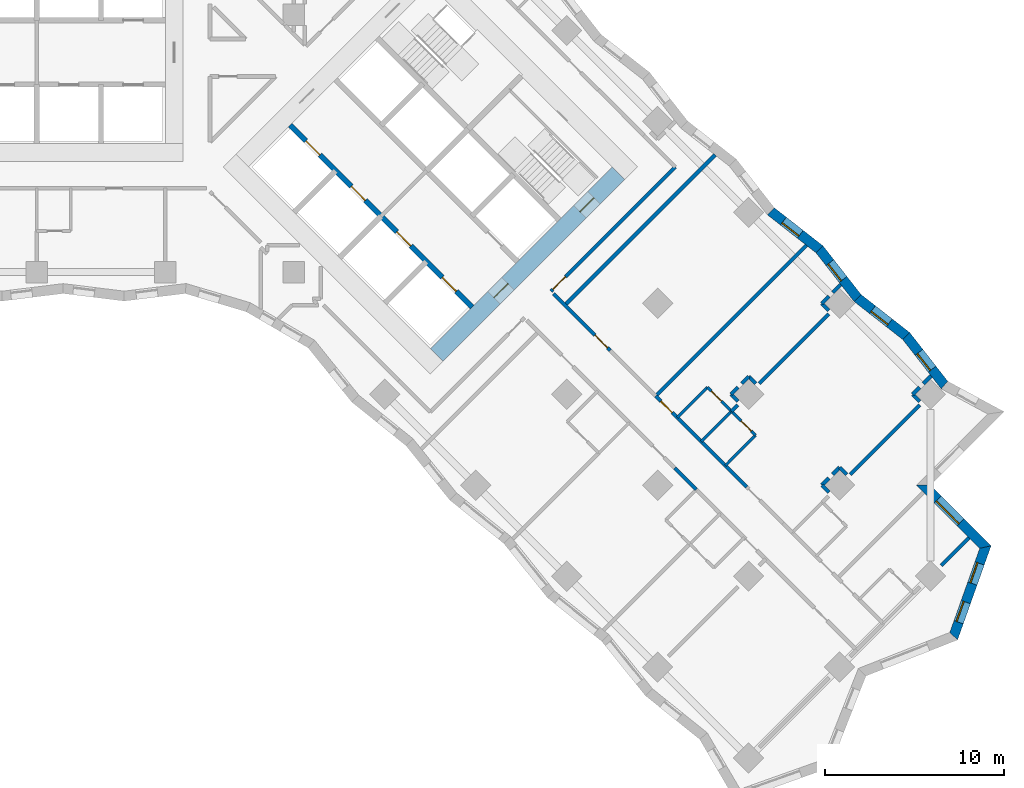
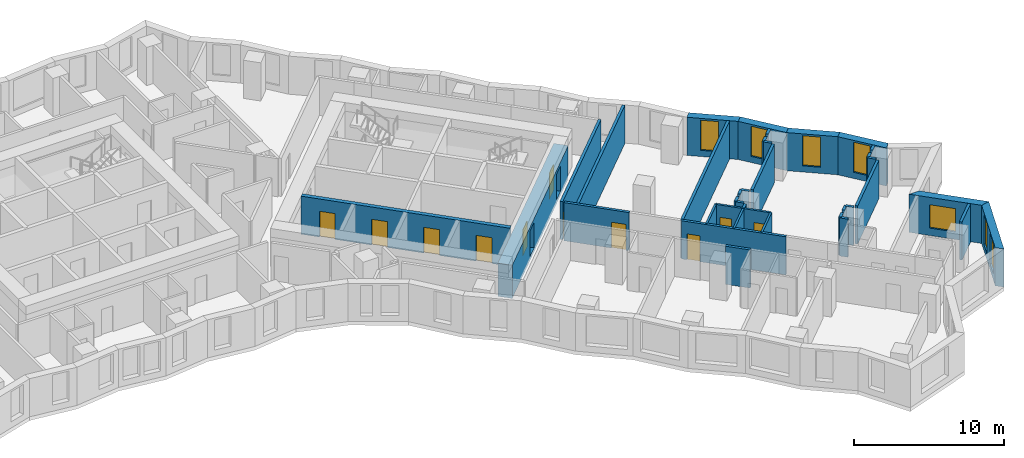
# One storey, part 9 of 13: 37 walls, 11 doors, 7 windows, 18 openings.
"""IFC4 building model written with IfcOpenShell, lengths in metres."""

from ifc_helpers import new_model, si_unit, direction, frame, frame_2d, origin, place, context, subcontext, project, spatial, polyline, rectangle, outline, extrude, material, layer, layer_set, type_object, element, fill, save


model = new_model("IFC4")

# Units and contexts
model_context = context("Model", 3, precision=1e-05, world=origin(), true_north=direction((0.0, 1.0)))
body_context = subcontext(model_context, "Body", "Model", "MODEL_VIEW")
ifc_project = project(units=[si_unit("LENGTHUNIT", "METRE"), si_unit("AREAUNIT", "SQUARE_METRE"), si_unit("VOLUMEUNIT", "CUBIC_METRE"), si_unit("PLANEANGLEUNIT", "RADIAN"), si_unit("MASSUNIT", "GRAM", prefix="KILO")], contexts=[model_context])

# Site, building, storey
site_placement = place(None, origin())
site = spatial("IfcSite", under=ifc_project, at=site_placement, CompositionType="ELEMENT")
building_placement = place(site_placement, origin())
building = spatial("IfcBuilding", under=site, at=building_placement, Name="Windrow Commons", CompositionType="ELEMENT")
storey_placement = place(building_placement, frame((0.0, 0.0, 40.6)))
storey = spatial("IfcBuildingStorey", under=building, at=storey_placement, Name="L10", CompositionType="ELEMENT", Elevation=40.6)

# Wall, openings, windows
ifc_material_1 = material(Name="Brick masonry, red clay brick", Category="masonry")
ifc_layer_1 = layer(ifc_material_1, 0.55)
ifc_layer_set_1 = layer_set([ifc_layer_1], Name="Brick facade wall 550")
wall_type_1 = type_object("IfcWallType", Name="Brick facade wall 550", PredefinedType="SOLIDWALL", material=ifc_layer_set_1)
wall_1_placement = place(storey_placement, frame((116.1376, 22.8149, 0.0), z_axis=(0.0, 0.0, 1.0), x_axis=(0.3355194748, 0.9420332701, 0.0)))
wall_1 = element("IfcWall", 1, at=wall_1_placement, inside=storey, type_object=wall_type_1, Name="Brick facade wall L10 4", PredefinedType="SOLIDWALL", context=body_context, shape_type="SweptSolid", body=[
    extrude(outline(polyline([(-0.1251, -0.275), (5.471, -0.275), (5.1232, 0.275), (0.1251, 0.275), (-0.1251, -0.275)])), origin(), (0.0, 0.0, 1.0), 3.1),
])
opening_1_placement = place(wall_1_placement, frame((0.8284, 0.0, 0.5)))
opening_1 = element("IfcOpeningElement", 2, at=opening_1_placement, cuts=wall_1, Name="Opening W7D", PredefinedType="OPENING", context=body_context, shape_type="SweptSolid", body=[
    extrude(rectangle(XDim=1.2, YDim=2.45, at=frame_2d((0.6, 1.225))), frame((0.0, 0.285, 0.0), z_axis=(0.0, -1.0, 0.0), x_axis=(1.0, 0.0, 0.0)), (0.0, 0.0, 1.0), 0.57),
])
opening_2_placement = place(wall_1_placement, frame((3.1275, 0.0, 0.5)))
opening_2 = element("IfcOpeningElement", 3, at=opening_2_placement, cuts=wall_1, Name="Opening W7D", PredefinedType="OPENING", context=body_context, shape_type="SweptSolid", body=[
    extrude(rectangle(XDim=1.2, YDim=2.45, at=frame_2d((0.6, 1.225))), frame((0.0, 0.285, 0.0), z_axis=(0.0, -1.0, 0.0), x_axis=(1.0, 0.0, 0.0)), (0.0, 0.0, 1.0), 0.57),
])
ifc_material_2 = material(Name="Clear float glass in anodised aluminium frame", Category="aluminium")
window_type_1 = type_object("IfcWindowType", Name="Window W7 notch 1200x2450", PartitioningType="SINGLE_PANEL", PredefinedType="WINDOW", material=ifc_material_2)
window_1_placement = place(opening_1_placement, origin())
window_1 = element("IfcWindow", 4, at=window_1_placement, inside=storey, type_object=window_type_1, Name="Window L10 4.1", OverallHeight=2.45, OverallWidth=1.2, PartitioningType="SINGLE_PANEL", PredefinedType="WINDOW", context=body_context, shape_type="SweptSolid", body=[
    extrude(rectangle(XDim=1.2, YDim=2.45, at=frame_2d((0.6, 1.225))), frame((0.0, 0.155, 0.0), z_axis=(0.0, -1.0, 0.0), x_axis=(1.0, 0.0, 0.0)), (0.0, 0.0, 1.0), 0.06),
])
fill(opening_1, window_1)
window_2_placement = place(opening_2_placement, origin())
window_2 = element("IfcWindow", 5, at=window_2_placement, inside=storey, type_object=window_type_1, Name="Window L10 4.2", OverallHeight=2.45, OverallWidth=1.2, PartitioningType="SINGLE_PANEL", PredefinedType="WINDOW", context=body_context, shape_type="SweptSolid", body=[
    extrude(rectangle(XDim=1.2, YDim=2.45, at=frame_2d((0.6, 1.225))), frame((0.0, 0.155, 0.0), z_axis=(0.0, -1.0, 0.0), x_axis=(1.0, 0.0, 0.0)), (0.0, 0.0, 1.0), 0.06),
])
fill(opening_2, window_2)

# Wall, opening, window
wall_2_placement = place(storey_placement, frame((117.9149, 27.805, 0.0), z_axis=(0.0, 0.0, 1.0), x_axis=(-0.7071067812, 0.7071067812, 0.0)))
wall_2 = element("IfcWall", 6, at=wall_2_placement, inside=storey, type_object=wall_type_1, Name="Brick facade wall L10 5", PredefinedType="SOLIDWALL", context=body_context, shape_type="SweptSolid", body=[
    extrude(outline(polyline([(-0.1739, -0.275), (4.6261, -0.275), (5.1761, 0.275), (0.1739, 0.275), (-0.1739, -0.275)])), origin(), (0.0, 0.0, 1.0), 3.1),
])
opening_3_placement = place(wall_2_placement, frame((1.9636, 0.0, 0.6)))
opening_3 = element("IfcOpeningElement", 7, at=opening_3_placement, cuts=wall_2, Name="Opening W1L", PredefinedType="OPENING", context=body_context, shape_type="SweptSolid", body=[
    extrude(rectangle(XDim=1.8, YDim=1.9, at=frame_2d((0.9, 0.95))), frame((0.0, 0.285, 0.0), z_axis=(0.0, -1.0, 0.0), x_axis=(1.0, 0.0, 0.0)), (0.0, 0.0, 1.0), 0.57),
])
ifc_material_3 = material(Name="Clear float glass in anodised aluminium frame", Category="aluminium")
window_type_2 = type_object("IfcWindowType", Name="Window W1L bedroom 1800x1900", PartitioningType="SINGLE_PANEL", PredefinedType="WINDOW", material=ifc_material_3)
window_3_placement = place(opening_3_placement, origin())
window_3 = element("IfcWindow", 8, at=window_3_placement, inside=storey, type_object=window_type_2, Name="Window L10 5.1", OverallHeight=1.9, OverallWidth=1.8, PartitioningType="SINGLE_PANEL", PredefinedType="WINDOW", context=body_context, shape_type="SweptSolid", body=[
    extrude(rectangle(XDim=1.8, YDim=1.9, at=frame_2d((0.9, 0.95))), frame((0.0, 0.155, 0.0), z_axis=(0.0, -1.0, 0.0), x_axis=(1.0, 0.0, 0.0)), (0.0, 0.0, 1.0), 0.06),
])
fill(opening_3, window_3)

wall_3_placement = place(storey_placement, frame((115.6238, 36.8774, 0.0), z_axis=(0.0, 0.0, 1.0), x_axis=(-0.6157582888, 0.7879351051, 0.0)))
wall_3 = element("IfcWall", 9, at=wall_3_placement, inside=storey, type_object=wall_type_1, Name="Brick facade wall L10 8", PredefinedType="SOLIDWALL", context=body_context, shape_type="SweptSolid", body=[
    extrude(outline(polyline([(0.0573, -0.275), (3.5156, -0.275), (3.4481, 0.275), (-0.0573, 0.275), (0.0573, -0.275)])), origin(), (0.0, 0.0, 1.0), 3.1),
])
opening_4_placement = place(wall_3_placement, frame((1.1241, 0.0, 0.5)))
opening_4 = element("IfcOpeningElement", 10, at=opening_4_placement, cuts=wall_3, Name="Opening W7D", PredefinedType="OPENING", context=body_context, shape_type="SweptSolid", body=[
    extrude(rectangle(XDim=1.2, YDim=2.45, at=frame_2d((0.6, 1.225))), frame((0.0, 0.285, 0.0), z_axis=(0.0, -1.0, 0.0), x_axis=(1.0, 0.0, 0.0)), (0.0, 0.0, 1.0), 0.57),
])
window_4_placement = place(opening_4_placement, origin())
window_4 = element("IfcWindow", 11, at=window_4_placement, inside=storey, type_object=window_type_1, Name="Window L10 8.1", OverallHeight=2.45, OverallWidth=1.2, PartitioningType="SINGLE_PANEL", PredefinedType="WINDOW", context=body_context, shape_type="SweptSolid", body=[
    extrude(rectangle(XDim=1.2, YDim=2.45, at=frame_2d((0.6, 1.225))), frame((0.0, 0.155, 0.0), z_axis=(0.0, -1.0, 0.0), x_axis=(1.0, 0.0, 0.0)), (0.0, 0.0, 1.0), 0.06),
])
fill(opening_4, window_4)

wall_4_placement = place(storey_placement, frame((113.4798, 39.6209, 0.0), z_axis=(0.0, 0.0, 1.0), x_axis=(-0.7879331771, 0.6157607558, 0.0)))
wall_4 = element("IfcWall", 12, at=wall_4_placement, inside=storey, type_object=wall_type_1, Name="Brick facade wall L10 9", PredefinedType="SOLIDWALL", context=body_context, shape_type="SweptSolid", body=[
    extrude(outline(polyline([(-0.0337, -0.275), (3.4245, -0.275), (3.4919, 0.275), (0.0337, 0.275), (-0.0337, -0.275)])), origin(), (0.0, 0.0, 1.0), 3.1),
])
opening_5_placement = place(wall_4_placement, frame((1.1979, 0.0, 0.5)))
opening_5 = element("IfcOpeningElement", 13, at=opening_5_placement, cuts=wall_4, Name="Opening W7D", PredefinedType="OPENING", context=body_context, shape_type="SweptSolid", body=[
    extrude(rectangle(XDim=1.2, YDim=2.45, at=frame_2d((0.6, 1.225))), frame((0.0, 0.285, 0.0), z_axis=(0.0, -1.0, 0.0), x_axis=(1.0, 0.0, 0.0)), (0.0, 0.0, 1.0), 0.57),
])
window_5_placement = place(opening_5_placement, origin())
window_5 = element("IfcWindow", 14, at=window_5_placement, inside=storey, type_object=window_type_1, Name="Window L10 9.1", OverallHeight=2.45, OverallWidth=1.2, PartitioningType="SINGLE_PANEL", PredefinedType="WINDOW", context=body_context, shape_type="SweptSolid", body=[
    extrude(rectangle(XDim=1.2, YDim=2.45, at=frame_2d((0.6, 1.225))), frame((0.0, 0.155, 0.0), z_axis=(0.0, -1.0, 0.0), x_axis=(1.0, 0.0, 0.0)), (0.0, 0.0, 1.0), 0.06),
])
fill(opening_5, window_5)

wall_5_placement = place(storey_placement, frame((110.755, 41.7503, 0.0), z_axis=(0.0, 0.0, 1.0), x_axis=(-0.6157787082, 0.7879191472, 0.0)))
wall_5 = element("IfcWall", 15, at=wall_5_placement, inside=storey, type_object=wall_type_1, Name="Brick facade wall L10 10", PredefinedType="SOLIDWALL", context=body_context, shape_type="SweptSolid", body=[
    extrude(outline(polyline([(0.0337, -0.275), (3.4919, -0.275), (3.4245, 0.275), (-0.0337, 0.275), (0.0337, -0.275)])), origin(), (0.0, 0.0, 1.0), 3.1),
])
opening_6_placement = place(wall_5_placement, frame((1.3154, 0.0, 0.5)))
opening_6 = element("IfcOpeningElement", 16, at=opening_6_placement, cuts=wall_5, Name="Opening W7D", PredefinedType="OPENING", context=body_context, shape_type="SweptSolid", body=[
    extrude(rectangle(XDim=1.2, YDim=2.45, at=frame_2d((0.6, 1.225))), frame((0.0, 0.285, 0.0), z_axis=(0.0, -1.0, 0.0), x_axis=(1.0, 0.0, 0.0)), (0.0, 0.0, 1.0), 0.57),
])
window_6_placement = place(opening_6_placement, origin())
window_6 = element("IfcWindow", 17, at=window_6_placement, inside=storey, type_object=window_type_1, Name="Window L10 10.1", OverallHeight=2.45, OverallWidth=1.2, PartitioningType="SINGLE_PANEL", PredefinedType="WINDOW", context=body_context, shape_type="SweptSolid", body=[
    extrude(rectangle(XDim=1.2, YDim=2.45, at=frame_2d((0.6, 1.225))), frame((0.0, 0.155, 0.0), z_axis=(0.0, -1.0, 0.0), x_axis=(1.0, 0.0, 0.0)), (0.0, 0.0, 1.0), 0.06),
])
fill(opening_6, window_6)

wall_6_placement = place(storey_placement, frame((108.6255, 44.4751, 0.0), z_axis=(0.0, 0.0, 1.0), x_axis=(-0.7879191472, 0.6157787082, 0.0)))
wall_6 = element("IfcWall", 18, at=wall_6_placement, inside=storey, type_object=wall_type_1, Name="Brick facade wall L10 11", PredefinedType="SOLIDWALL", context=body_context, shape_type="SweptSolid", body=[
    extrude(outline(polyline([(-0.0337, -0.275), (3.4245, -0.275), (3.4919, 0.275), (0.0337, 0.275), (-0.0337, -0.275)])), origin(), (0.0, 0.0, 1.0), 3.1),
])
opening_7_placement = place(wall_6_placement, frame((1.3666, 0.0, 0.5)))
opening_7 = element("IfcOpeningElement", 19, at=opening_7_placement, cuts=wall_6, Name="Opening W7D", PredefinedType="OPENING", context=body_context, shape_type="SweptSolid", body=[
    extrude(rectangle(XDim=1.2, YDim=2.45, at=frame_2d((0.6, 1.225))), frame((0.0, 0.285, 0.0), z_axis=(0.0, -1.0, 0.0), x_axis=(1.0, 0.0, 0.0)), (0.0, 0.0, 1.0), 0.57),
])
window_7_placement = place(opening_7_placement, origin())
window_7 = element("IfcWindow", 20, at=window_7_placement, inside=storey, type_object=window_type_1, Name="Window L10 11.1", OverallHeight=2.45, OverallWidth=1.2, PartitioningType="SINGLE_PANEL", PredefinedType="WINDOW", context=body_context, shape_type="SweptSolid", body=[
    extrude(rectangle(XDim=1.2, YDim=2.45, at=frame_2d((0.6, 1.225))), frame((0.0, 0.155, 0.0), z_axis=(0.0, -1.0, 0.0), x_axis=(1.0, 0.0, 0.0)), (0.0, 0.0, 1.0), 0.06),
])
fill(opening_7, window_7)

# Wall, opening, door
ifc_material_4 = material(Name="Blockwork partition", Category="masonry")
ifc_layer_2 = layer(ifc_material_4, 0.2)
ifc_layer_set_2 = layer_set([ifc_layer_2], Name="IW-CORRIDOR-200")
wall_type_2 = type_object("IfcWallType", Name="IW-CORRIDOR-200", PredefinedType="PARTITIONING", material=ifc_layer_set_2)
wall_7_placement = place(storey_placement, frame((93.5896, 42.1264, 0.0), z_axis=(0.0, 0.0, 1.0), x_axis=(0.7071067812, 0.7071067812, 0.0)))
wall_7 = element("IfcWall", 21, at=wall_7_placement, inside=storey, type_object=wall_type_2, Name="W-L10-W011", PredefinedType="PARTITIONING", context=body_context, shape_type="SweptSolid", body=[
    extrude(rectangle(XDim=9.8486, YDim=0.2, at=frame_2d((4.9243, 0.0))), origin(), (0.0, 0.0, 1.0), 3.1),
])
opening_8_placement = place(wall_7_placement, frame((0.1482, 0.0, 0.0)))
opening_8 = element("IfcOpeningElement", 22, at=opening_8_placement, cuts=wall_7, Name="Opening D310F", PredefinedType="OPENING", context=body_context, shape_type="SweptSolid", body=[
    extrude(rectangle(XDim=1.0, YDim=2.1, at=frame_2d((0.5, 1.05))), frame((0.0, 0.11, 0.0), z_axis=(0.0, -1.0, 0.0), x_axis=(1.0, 0.0, 0.0)), (0.0, 0.0, 1.0), 0.22),
])
ifc_material_5 = material(Name="Timber door leaf", Category="wood")
door_type_1 = type_object("IfcDoorType", Name="DT-AMENITY-1000", OperationType="SINGLE_SWING_LEFT", PredefinedType="DOOR", material=ifc_material_5)
door_1_placement = place(opening_8_placement, origin())
door_1 = element("IfcDoor", 23, at=door_1_placement, inside=storey, type_object=door_type_1, Name="D-L10-D039", OperationType="SINGLE_SWING_LEFT", OverallHeight=2.1, OverallWidth=1.0, PredefinedType="DOOR", context=body_context, shape_type="SweptSolid", body=[
    extrude(rectangle(XDim=1.0, YDim=2.1, at=frame_2d((0.5, 1.05))), frame((0.0, 0.025, 0.0), z_axis=(0.0, -1.0, 0.0), x_axis=(1.0, 0.0, 0.0)), (0.0, 0.0, 1.0), 0.05),
])
fill(opening_8, door_1)

wall_8_placement = place(storey_placement, frame((99.455, 36.253, 0.0), z_axis=(0.0, 0.0, 1.0), x_axis=(0.7071067812, -0.7071067812, 0.0)))
wall_8 = element("IfcWall", 24, at=wall_8_placement, inside=storey, type_object=wall_type_2, Name="W-L10-W017", PredefinedType="PARTITIONING", context=body_context, shape_type="SweptSolid", body=[
    extrude(rectangle(XDim=7.2012, YDim=0.2, at=frame_2d((3.6006, 0.0))), origin(), (0.0, 0.0, 1.0), 3.1),
])
opening_9_placement = place(wall_8_placement, frame((0.4006, 0.0, 0.0)))
opening_9 = element("IfcOpeningElement", 25, at=opening_9_placement, cuts=wall_8, Name="Opening D109S", PredefinedType="OPENING", context=body_context, shape_type="SweptSolid", body=[
    extrude(rectangle(XDim=0.9, YDim=2.1, at=frame_2d((0.45, 1.05))), frame((0.0, 0.11, 0.0), z_axis=(0.0, -1.0, 0.0), x_axis=(1.0, 0.0, 0.0)), (0.0, 0.0, 1.0), 0.22),
])
ifc_material_6 = material(Name="Timber door leaf", Category="wood")
door_type_2 = type_object("IfcDoorType", Name="DT-BEDROOM-900", OperationType="SINGLE_SWING_LEFT", PredefinedType="DOOR", material=ifc_material_6)
door_2_placement = place(opening_9_placement, origin())
door_2 = element("IfcDoor", 26, at=door_2_placement, inside=storey, type_object=door_type_2, Name="D-L10-D041", OperationType="SINGLE_SWING_RIGHT", OverallHeight=2.1, OverallWidth=0.9, PredefinedType="DOOR", context=body_context, shape_type="SweptSolid", body=[
    extrude(rectangle(XDim=0.9, YDim=2.1, at=frame_2d((0.45, 1.05))), frame((0.0, 0.025, 0.0), z_axis=(0.0, -1.0, 0.0), x_axis=(1.0, 0.0, 0.0)), (0.0, 0.0, 1.0), 0.05),
])
fill(opening_9, door_2)

wall_9_placement = place(storey_placement, frame((93.735, 41.987, 0.0), z_axis=(0.0, 0.0, 1.0), x_axis=(0.7071067812, -0.7071067812, 0.0)))
wall_9 = element("IfcWall", 27, at=wall_9_placement, inside=storey, type_object=wall_type_2, Name="W-L10-W045", PredefinedType="PARTITIONING", context=body_context, shape_type="SweptSolid", body=[
    extrude(rectangle(XDim=4.5, YDim=0.2, at=frame_2d((2.25, 0.0))), origin(), (0.0, 0.0, 1.0), 3.1),
])
opening_10_placement = place(wall_9_placement, frame((3.2736, 0.0, 0.0)))
opening_10 = element("IfcOpeningElement", 28, at=opening_10_placement, cuts=wall_9, Name="Opening D310F", PredefinedType="OPENING", context=body_context, shape_type="SweptSolid", body=[
    extrude(rectangle(XDim=1.0, YDim=2.1, at=frame_2d((0.5, 1.05))), frame((0.0, 0.11, 0.0), z_axis=(0.0, -1.0, 0.0), x_axis=(1.0, 0.0, 0.0)), (0.0, 0.0, 1.0), 0.22),
])
door_3_placement = place(opening_10_placement, origin())
door_3 = element("IfcDoor", 29, at=door_3_placement, inside=storey, type_object=door_type_1, Name="D-L10-D040", OperationType="SINGLE_SWING_RIGHT", OverallHeight=2.1, OverallWidth=1.0, PredefinedType="DOOR", context=body_context, shape_type="SweptSolid", body=[
    extrude(rectangle(XDim=1.0, YDim=2.1, at=frame_2d((0.5, 1.05))), frame((0.0, 0.025, 0.0), z_axis=(0.0, -1.0, 0.0), x_axis=(1.0, 0.0, 0.0)), (0.0, 0.0, 1.0), 0.05),
])
fill(opening_10, door_3)

# Walls
wall_10_placement = place(storey_placement, frame((100.5231, 32.2291, 0.0), z_axis=(0.0, 0.0, 1.0), x_axis=(0.7071067812, -0.7071067812, 0.0)))
element("IfcWall", 30, at=wall_10_placement, inside=storey, type_object=wall_type_2, Name="W-L10-W150", PredefinedType="PARTITIONING", context=body_context, shape_type="SweptSolid", body=[
    extrude(rectangle(XDim=1.6999, YDim=0.2, at=frame_2d((0.8499, 0.0))), origin(), (0.0, 0.0, 1.0), 3.1),
])
ifc_material_7 = material(Name="Blockwork partition", Category="masonry")
ifc_layer_3 = layer(ifc_material_7, 0.15)
ifc_layer_set_3 = layer_set([ifc_layer_3], Name="IW-ENSUITE-150")
wall_type_3 = type_object("IfcWallType", Name="IW-ENSUITE-150", PredefinedType="PARTITIONING", material=ifc_layer_set_3)
wall_11_placement = place(storey_placement, frame((102.0032, 33.7108, 0.0), z_axis=(0.0, 0.0, 1.0), x_axis=(0.7071067812, 0.7071067812, 0.0)))
element("IfcWall", 31, at=wall_11_placement, inside=storey, type_object=wall_type_3, Name="W-L10-W074", PredefinedType="PARTITIONING", context=body_context, shape_type="SweptSolid", body=[
    extrude(rectangle(XDim=2.4013, YDim=0.15, at=frame_2d((1.2006, 0.0))), origin(), (0.0, 0.0, 1.0), 3.1),
])
for number, where, z_axis, x_axis, name in (
    (32, (100.6573, 35.0568, 0.0), (0.0, 0.0, 1.0), (0.7075233388, 0.706689978, 0.0), "W-L10-W104"),
    (33, (103.3491, 32.3649, 0.0), (0.0, 0.0, 1.0), (0.706689978, 0.7075233388, 0.0), "W-L10-W107"),
):
    element("IfcWall", number, at=place(storey_placement, frame(where, z_axis=z_axis, x_axis=x_axis)), inside=storey, type_object=wall_type_3, Name=name, PredefinedType="PARTITIONING", context=body_context, shape_type="SweptSolid", body=[
        extrude(rectangle(XDim=2.3999, YDim=0.15, at=frame_2d((1.2, 0.0))), origin(), (0.0, 0.0, 1.0), 3.1),
    ])

# Wall, opening, door
wall_12_placement = place(storey_placement, frame((103.7009, 35.4069, 0.0), z_axis=(0.0, 0.0, 1.0), x_axis=(0.7065800724, -0.7076330979, 0.0)))
wall_12 = element("IfcWall", 34, at=wall_12_placement, inside=storey, type_object=wall_type_3, Name="W-L10-W140", PredefinedType="PARTITIONING", context=body_context, shape_type="SweptSolid", body=[
    extrude(rectangle(XDim=1.8993, YDim=0.15, at=frame_2d((0.9496, 0.0))), origin(), (0.0, 0.0, 1.0), 3.1),
])
opening_11_placement = place(wall_12_placement, frame((0.7593, 0.0, 0.0)))
opening_11 = element("IfcOpeningElement", 35, at=opening_11_placement, cuts=wall_12, Name="Opening D208N", PredefinedType="OPENING", context=body_context, shape_type="SweptSolid", body=[
    extrude(rectangle(XDim=0.8, YDim=2.1, at=frame_2d((0.4, 1.05))), frame((0.0, 0.085, 0.0), z_axis=(0.0, -1.0, 0.0), x_axis=(1.0, 0.0, 0.0)), (0.0, 0.0, 1.0), 0.17),
])
ifc_material_8 = material(Name="Timber door leaf", Category="wood")
door_type_3 = type_object("IfcDoorType", Name="DT-ENSUITE-800", OperationType="SINGLE_SWING_LEFT", PredefinedType="DOOR", material=ifc_material_8)
door_4_placement = place(opening_11_placement, origin())
door_4 = element("IfcDoor", 36, at=door_4_placement, inside=storey, type_object=door_type_3, Name="D-L10-D044", OperationType="SINGLE_SWING_RIGHT", OverallHeight=2.1, OverallWidth=0.8, PredefinedType="DOOR", context=body_context, shape_type="SweptSolid", body=[
    extrude(rectangle(XDim=0.8, YDim=2.1, at=frame_2d((0.4, 1.05))), frame((0.0, 0.025, 0.0), z_axis=(0.0, -1.0, 0.0), x_axis=(1.0, 0.0, 0.0)), (0.0, 0.0, 1.0), 0.05),
])
fill(opening_11, door_4)

wall_13_placement = place(storey_placement, frame((102.3583, 36.7503, 0.0), z_axis=(0.0, 0.0, 1.0), x_axis=(0.7076330979, -0.7065800724, 0.0)))
wall_13 = element("IfcWall", 37, at=wall_13_placement, inside=storey, type_object=wall_type_3, Name="W-L10-W142", PredefinedType="PARTITIONING", context=body_context, shape_type="SweptSolid", body=[
    extrude(rectangle(XDim=1.8993, YDim=0.15, at=frame_2d((0.9496, 0.0))), origin(), (0.0, 0.0, 1.0), 3.1),
])
opening_12_placement = place(wall_13_placement, frame((0.2965, 0.0, 0.0)))
opening_12 = element("IfcOpeningElement", 38, at=opening_12_placement, cuts=wall_13, Name="Opening D208N", PredefinedType="OPENING", context=body_context, shape_type="SweptSolid", body=[
    extrude(rectangle(XDim=0.8, YDim=2.1, at=frame_2d((0.4, 1.05))), frame((0.0, 0.085, 0.0), z_axis=(0.0, -1.0, 0.0), x_axis=(1.0, 0.0, 0.0)), (0.0, 0.0, 1.0), 0.17),
])
door_5_placement = place(opening_12_placement, origin())
door_5 = element("IfcDoor", 39, at=door_5_placement, inside=storey, type_object=door_type_3, Name="D-L10-D042", OperationType="SINGLE_SWING_RIGHT", OverallHeight=2.1, OverallWidth=0.8, PredefinedType="DOOR", context=body_context, shape_type="SweptSolid", body=[
    extrude(rectangle(XDim=0.8, YDim=2.1, at=frame_2d((0.4, 1.05))), frame((0.0, 0.025, 0.0), z_axis=(0.0, -1.0, 0.0), x_axis=(1.0, 0.0, 0.0)), (0.0, 0.0, 1.0), 0.05),
])
fill(opening_12, door_5)

# Walls
ifc_material_9 = material(Name="Blockwork partition", Category="masonry")
ifc_layer_4 = layer(ifc_material_9, 0.2)
ifc_layer_set_4 = layer_set([ifc_layer_4], Name="IW-PARTY-200")
wall_type_4 = type_object("IfcWallType", Name="IW-PARTY-200", PredefinedType="PARTITIONING", material=ifc_layer_set_4)
wall_14_placement = place(storey_placement, frame((99.4589, 36.2551, 0.0), z_axis=(0.0, 0.0, 1.0), x_axis=(0.7071905616, 0.7070229908, 0.0)))
element("IfcWall", 40, at=wall_14_placement, inside=storey, type_object=wall_type_4, Name="W-L10-W005", PredefinedType="PARTITIONING", context=body_context, shape_type="SweptSolid", body=[
    extrude(rectangle(XDim=11.9353, YDim=0.2, at=frame_2d((5.9676, 0.0))), origin(), (0.0, 0.0, 1.0), 3.1),
])
wall_15_placement = place(storey_placement, frame((94.3674, 41.3486, 0.0), z_axis=(0.0, 0.0, 1.0), x_axis=(0.7071109856, 0.7071025768, 0.0)))
element("IfcWall", 41, at=wall_15_placement, inside=storey, type_object=wall_type_4, Name="W-L10-W007", PredefinedType="PARTITIONING", context=body_context, shape_type="SweptSolid", body=[
    extrude(rectangle(XDim=11.8923, YDim=0.2, at=frame_2d((5.9462, 0.0))), origin(), (0.0, 0.0, 1.0), 3.1),
])
for number, where, z_axis, x_axis, name in (
    (42, (110.3454, 31.8706, 0.0), (0.0, 0.0, 1.0), (0.7071067812, 0.7071067812, 0.0), "W-L10-W033"),
    (43, (105.2552, 36.9628, 0.0), (0.0, 0.0, 1.0), (0.7071067812, 0.7071067812, 0.0), "W-L10-W034"),
):
    element("IfcWall", number, at=place(storey_placement, frame(where, z_axis=z_axis, x_axis=x_axis)), inside=storey, type_object=wall_type_4, Name=name, PredefinedType="PARTITIONING", context=body_context, shape_type="SweptSolid", body=[
        extrude(rectangle(XDim=5.5041, YDim=0.2, at=frame_2d((2.7521, 0.0))), origin(), (0.0, 0.0, 1.0), 3.1),
    ])
wall_16_placement = place(storey_placement, frame((115.4375, 26.7805, 0.0), z_axis=(0.0, 0.0, 1.0), x_axis=(0.7071067812, 0.7071067812, 0.0)))
element("IfcWall", 44, at=wall_16_placement, inside=storey, type_object=wall_type_4, Name="W-L10-W113", PredefinedType="PARTITIONING", context=body_context, shape_type="SweptSolid", body=[
    extrude(rectangle(XDim=2.2012, YDim=0.2, at=frame_2d((1.1006, 0.0))), origin(), (0.0, 0.0, 1.0), 3.1),
])
wall_17_placement = place(storey_placement, frame((109.3572, 42.0548, 0.0), z_axis=(0.0, 0.0, 1.0), x_axis=(0.7071067812, 0.7071067812, 0.0)))
element("IfcWall", 45, at=wall_17_placement, inside=storey, type_object=wall_type_4, Name="W-L10-W166", PredefinedType="PARTITIONING", context=body_context, shape_type="SweptSolid", body=[
    extrude(rectangle(XDim=0.6436, YDim=0.2, at=frame_2d((0.3218, 0.0))), origin(), (0.0, 0.0, 1.0), 3.1),
])
for number, where, z_axis, x_axis, name in (
    (46, (113.8434, 36.3586, 0.0), (0.0, 0.0, 1.0), (0.7071067812, 0.7071067812, 0.0), "W-L10-W167"),
    (47, (108.7532, 41.4508, 0.0), (0.0, 0.0, 1.0), (0.7071067812, 0.7071067812, 0.0), "W-L10-W168"),
    (48, (108.7536, 31.2676, 0.0), (0.0, 0.0, 1.0), (0.7071067812, -0.7071067812, 0.0), "W-L10-W169"),
    (49, (109.7507, 32.2647, 0.0), (0.0, 0.0, 1.0), (0.7071067812, -0.7071067812, 0.0), "W-L10-W170"),
    (50, (109.3554, 31.8706, 0.0), (0.0, 0.0, 1.0), (0.7071067812, 0.7071067812, 0.0), "W-L10-W172"),
    (51, (108.7538, 41.4498, 0.0), (0.0, 0.0, 1.0), (0.7071067812, -0.7071067812, 0.0), "W-L10-W174"),
    (52, (108.7534, 31.2686, 0.0), (0.0, 0.0, 1.0), (0.7071067812, 0.7071067812, 0.0), "W-L10-W175"),
    (53, (103.6612, 36.3588, 0.0), (0.0, 0.0, 1.0), (0.7071067812, 0.7071067812, 0.0), "W-L10-W176"),
    (54, (104.2652, 36.9628, 0.0), (0.0, 0.0, 1.0), (0.7071067812, 0.7071067812, 0.0), "W-L10-W177"),
):
    element("IfcWall", number, at=place(storey_placement, frame(where, z_axis=z_axis, x_axis=x_axis)), inside=storey, type_object=wall_type_4, Name=name, PredefinedType="PARTITIONING", context=body_context, shape_type="SweptSolid", body=[
        extrude(rectangle(XDim=0.5572, YDim=0.2, at=frame_2d((0.2786, 0.0))), origin(), (0.0, 0.0, 1.0), 3.1),
    ])
for number, where, z_axis, x_axis, name in (
    (55, (104.6591, 37.3551, 0.0), (0.0, 0.0, 1.0), (0.705305244, -0.7089037401, 0.0), "W-L10-W178"),
    (56, (103.6636, 36.3596, 0.0), (0.0, 0.0, 1.0), (0.7089037401, -0.705305244, 0.0), "W-L10-W179"),
    (57, (113.8446, 36.3586, 0.0), (0.0, 0.0, 1.0), (0.7089037401, -0.705305244, 0.0), "W-L10-W180"),
):
    element("IfcWall", number, at=place(storey_placement, frame(where, z_axis=z_axis, x_axis=x_axis)), inside=storey, type_object=wall_type_4, Name=name, PredefinedType="PARTITIONING", context=body_context, shape_type="SweptSolid", body=[
        extrude(rectangle(XDim=0.5558, YDim=0.2, at=frame_2d((0.2779, 0.0))), origin(), (0.0, 0.0, 1.0), 3.1),
    ])
wall_18_placement = place(storey_placement, frame((114.4474, 36.9626, 0.0), z_axis=(0.0, 0.0, 1.0), x_axis=(0.7070239866, 0.707189566, 0.0)))
element("IfcWall", 58, at=wall_18_placement, inside=storey, type_object=wall_type_4, Name="W-L10-W181", PredefinedType="PARTITIONING", context=body_context, shape_type="SweptSolid", body=[
    extrude(rectangle(XDim=0.6039, YDim=0.2, at=frame_2d((0.3019, 0.0))), origin(), (0.0, 0.0, 1.0), 3.1),
])
wall_19_placement = place(storey_placement, frame((103.7012, 35.4088, 0.0), z_axis=(0.0, 0.0, 1.0), x_axis=(0.7071067812, 0.7071067812, 0.0)))
element("IfcWall", 59, at=wall_19_placement, inside=storey, type_object=wall_type_4, Name="W-L10-W186", PredefinedType="PARTITIONING", context=body_context, shape_type="SweptSolid", body=[
    extrude(rectangle(XDim=0.5006, YDim=0.2, at=frame_2d((0.2503, 0.0))), origin(), (0.0, 0.0, 1.0), 3.1),
])

# Wall, openings, doors
ifc_material_10 = material(Name="Concrete C60/75", Category="concrete")
ifc_layer_5 = layer(ifc_material_10, 1.0)
ifc_layer_set_5 = layer_set([ifc_layer_5], Name="RC CORE WALL 1000 C60/75")
wall_type_5 = type_object("IfcWallType", Name="RC CORE WALL 1000 C60/75", PredefinedType="SHEAR", material=ifc_layer_set_5)
wall_20_placement = place(storey_placement, frame((87.1903, 38.5538, -0.3), z_axis=(0.0, 0.0, 1.0), x_axis=(0.707103309, 0.7071102534, 0.0)))
wall_20 = element("IfcWall", 60, at=wall_20_placement, inside=storey, type_object=wall_type_5, Name="Core B wall outer-E", PredefinedType="SHEAR", context=body_context, shape_type="SweptSolid", body=[
    extrude(rectangle(XDim=14.4, YDim=1.0, at=frame_2d((7.2, 0.0))), origin(), (0.0, 0.0, 1.0), 2.7),
])
opening_13_placement = place(wall_20_placement, frame((4.55, 0.0, 0.3)))
opening_13 = element("IfcOpeningElement", 61, at=opening_13_placement, cuts=wall_20, Name="Opening D6", PredefinedType="OPENING", context=body_context, shape_type="SweptSolid", body=[
    extrude(rectangle(XDim=1.1, YDim=2.1, at=frame_2d((0.55, 1.05))), frame((0.0, 0.51, 0.0), z_axis=(0.0, -1.0, 0.0), x_axis=(1.0, 0.0, 0.0)), (0.0, 0.0, 1.0), 1.02),
])
opening_14_placement = place(wall_20_placement, frame((11.35, 0.0, 0.3)))
opening_14 = element("IfcOpeningElement", 62, at=opening_14_placement, cuts=wall_20, Name="Opening D7", PredefinedType="OPENING", context=body_context, shape_type="SweptSolid", body=[
    extrude(rectangle(XDim=1.1, YDim=2.1, at=frame_2d((0.55, 1.05))), frame((0.0, 0.51, 0.0), z_axis=(0.0, -1.0, 0.0), x_axis=(1.0, 0.0, 0.0)), (0.0, 0.0, 1.0), 1.02),
])
ifc_material_11 = material(Name="Steel fire door leaf", Category="steel")
door_type_4 = type_object("IfcDoorType", Name="Core lobby door 1100", OperationType="SINGLE_SWING_LEFT", PredefinedType="DOOR", material=ifc_material_11)
door_6_placement = place(opening_13_placement, origin())
door_6 = element("IfcDoor", 63, at=door_6_placement, inside=storey, type_object=door_type_4, Name="Lift lobby door", OperationType="DOUBLE_DOOR_SINGLE_SWING", OverallHeight=2.1, OverallWidth=1.1, PredefinedType="DOOR", context=body_context, shape_type="SweptSolid", body=[
    extrude(rectangle(XDim=1.1, YDim=2.1, at=frame_2d((0.55, 1.05))), frame((0.0, 0.025, 0.0), z_axis=(0.0, -1.0, 0.0), x_axis=(1.0, 0.0, 0.0)), (0.0, 0.0, 1.0), 0.05),
])
fill(opening_13, door_6)
ifc_material_12 = material(Name="Steel fire door leaf", Category="steel")
door_type_5 = type_object("IfcDoorType", Name="Stair door 1100", OperationType="SINGLE_SWING_LEFT", PredefinedType="DOOR", material=ifc_material_12)
door_7_placement = place(opening_14_placement, origin())
door_7 = element("IfcDoor", 64, at=door_7_placement, inside=storey, type_object=door_type_5, Name="Stair door", OperationType="SINGLE_SWING_RIGHT", OverallHeight=2.1, OverallWidth=1.1, PredefinedType="DOOR", context=body_context, shape_type="SweptSolid", body=[
    extrude(rectangle(XDim=1.1, YDim=2.1, at=frame_2d((0.55, 1.05))), frame((0.0, 0.025, 0.0), z_axis=(0.0, -1.0, 0.0), x_axis=(1.0, 0.0, 0.0)), (0.0, 0.0, 1.0), 0.05),
])
fill(opening_14, door_7)

ifc_material_13 = material(Name="Concrete C60/75", Category="concrete")
ifc_layer_6 = layer(ifc_material_13, 0.3)
ifc_layer_set_6 = layer_set([ifc_layer_6], Name="RC SHAFT WALL 300 C60/75")
wall_type_6 = type_object("IfcWallType", Name="RC SHAFT WALL 300 C60/75", PredefinedType="SOLIDWALL", material=ifc_layer_set_6)
wall_21_placement = place(storey_placement, frame((78.9879, 51.4232, 0.0), z_axis=(0.0, 0.0, 1.0), x_axis=(0.7071067812, -0.7071067812, 0.0)))
wall_21 = element("IfcWall", 65, at=wall_21_placement, inside=storey, type_object=wall_type_6, Name="Core B wall lobby-S", PredefinedType="SOLIDWALL", context=body_context, shape_type="SweptSolid", body=[
    extrude(rectangle(XDim=14.3999, YDim=0.3, at=frame_2d((7.2, 0.0))), origin(), (0.0, 0.0, 1.0), 3.1),
])
opening_15_placement = place(wall_21_placement, frame((1.25, 0.0, 0.0)))
opening_15 = element("IfcOpeningElement", 66, at=opening_15_placement, cuts=wall_21, Name="Opening LD", PredefinedType="OPENING", context=body_context, shape_type="SweptSolid", body=[
    extrude(rectangle(XDim=1.1, YDim=2.1, at=frame_2d((0.55, 1.05))), frame((0.0, 0.16, 0.0), z_axis=(0.0, -1.0, 0.0), x_axis=(1.0, 0.0, 0.0)), (0.0, 0.0, 1.0), 0.32),
])
opening_16_placement = place(wall_21_placement, frame((4.85, 0.0, 0.0)))
opening_16 = element("IfcOpeningElement", 67, at=opening_16_placement, cuts=wall_21, Name="Opening LD", PredefinedType="OPENING", context=body_context, shape_type="SweptSolid", body=[
    extrude(rectangle(XDim=1.1, YDim=2.1, at=frame_2d((0.55, 1.05))), frame((0.0, 0.16, 0.0), z_axis=(0.0, -1.0, 0.0), x_axis=(1.0, 0.0, 0.0)), (0.0, 0.0, 1.0), 0.32),
])
opening_17_placement = place(wall_21_placement, frame((8.45, 0.0, 0.0)))
opening_17 = element("IfcOpeningElement", 68, at=opening_17_placement, cuts=wall_21, Name="Opening LD", PredefinedType="OPENING", context=body_context, shape_type="SweptSolid", body=[
    extrude(rectangle(XDim=1.1, YDim=2.1, at=frame_2d((0.55, 1.05))), frame((0.0, 0.16, 0.0), z_axis=(0.0, -1.0, 0.0), x_axis=(1.0, 0.0, 0.0)), (0.0, 0.0, 1.0), 0.32),
])
opening_18_placement = place(wall_21_placement, frame((12.05, 0.0, 0.0)))
opening_18 = element("IfcOpeningElement", 69, at=opening_18_placement, cuts=wall_21, Name="Opening LD", PredefinedType="OPENING", context=body_context, shape_type="SweptSolid", body=[
    extrude(rectangle(XDim=1.1, YDim=2.1, at=frame_2d((0.55, 1.05))), frame((0.0, 0.16, 0.0), z_axis=(0.0, -1.0, 0.0), x_axis=(1.0, 0.0, 0.0)), (0.0, 0.0, 1.0), 0.32),
])
ifc_material_14 = material(Name="Stainless steel door leaf", Category="steel")
door_type_6 = type_object("IfcDoorType", Name="Lift landing door 1100", OperationType="SLIDING_TO_LEFT", PredefinedType="DOOR", material=ifc_material_14)
door_8_placement = place(opening_15_placement, origin())
door_8 = element("IfcDoor", 70, at=door_8_placement, inside=storey, type_object=door_type_6, Name="Lift landing door", OperationType="SLIDING_TO_LEFT", OverallHeight=2.1, OverallWidth=1.1, PredefinedType="DOOR", context=body_context, shape_type="SweptSolid", body=[
    extrude(rectangle(XDim=1.1, YDim=2.1, at=frame_2d((0.55, 1.05))), frame((0.0, 0.025, 0.0), z_axis=(0.0, -1.0, 0.0), x_axis=(1.0, 0.0, 0.0)), (0.0, 0.0, 1.0), 0.05),
])
fill(opening_15, door_8)
door_9_placement = place(opening_16_placement, origin())
door_9 = element("IfcDoor", 71, at=door_9_placement, inside=storey, type_object=door_type_6, Name="Lift landing door", OperationType="SLIDING_TO_RIGHT", OverallHeight=2.1, OverallWidth=1.1, PredefinedType="DOOR", context=body_context, shape_type="SweptSolid", body=[
    extrude(rectangle(XDim=1.1, YDim=2.1, at=frame_2d((0.55, 1.05))), frame((0.0, 0.025, 0.0), z_axis=(0.0, -1.0, 0.0), x_axis=(1.0, 0.0, 0.0)), (0.0, 0.0, 1.0), 0.05),
])
fill(opening_16, door_9)
door_10_placement = place(opening_17_placement, origin())
door_10 = element("IfcDoor", 72, at=door_10_placement, inside=storey, type_object=door_type_6, Name="Lift landing door", OperationType="SLIDING_TO_LEFT", OverallHeight=2.1, OverallWidth=1.1, PredefinedType="DOOR", context=body_context, shape_type="SweptSolid", body=[
    extrude(rectangle(XDim=1.1, YDim=2.1, at=frame_2d((0.55, 1.05))), frame((0.0, 0.025, 0.0), z_axis=(0.0, -1.0, 0.0), x_axis=(1.0, 0.0, 0.0)), (0.0, 0.0, 1.0), 0.05),
])
fill(opening_17, door_10)
door_11_placement = place(opening_18_placement, origin())
door_11 = element("IfcDoor", 73, at=door_11_placement, inside=storey, type_object=door_type_6, Name="Lift landing door", OperationType="SLIDING_TO_RIGHT", OverallHeight=2.1, OverallWidth=1.1, PredefinedType="DOOR", context=body_context, shape_type="SweptSolid", body=[
    extrude(rectangle(XDim=1.1, YDim=2.1, at=frame_2d((0.55, 1.05))), frame((0.0, 0.025, 0.0), z_axis=(0.0, -1.0, 0.0), x_axis=(1.0, 0.0, 0.0)), (0.0, 0.0, 1.0), 0.05),
])
fill(opening_18, door_11)

save(model, "model.ifc")
